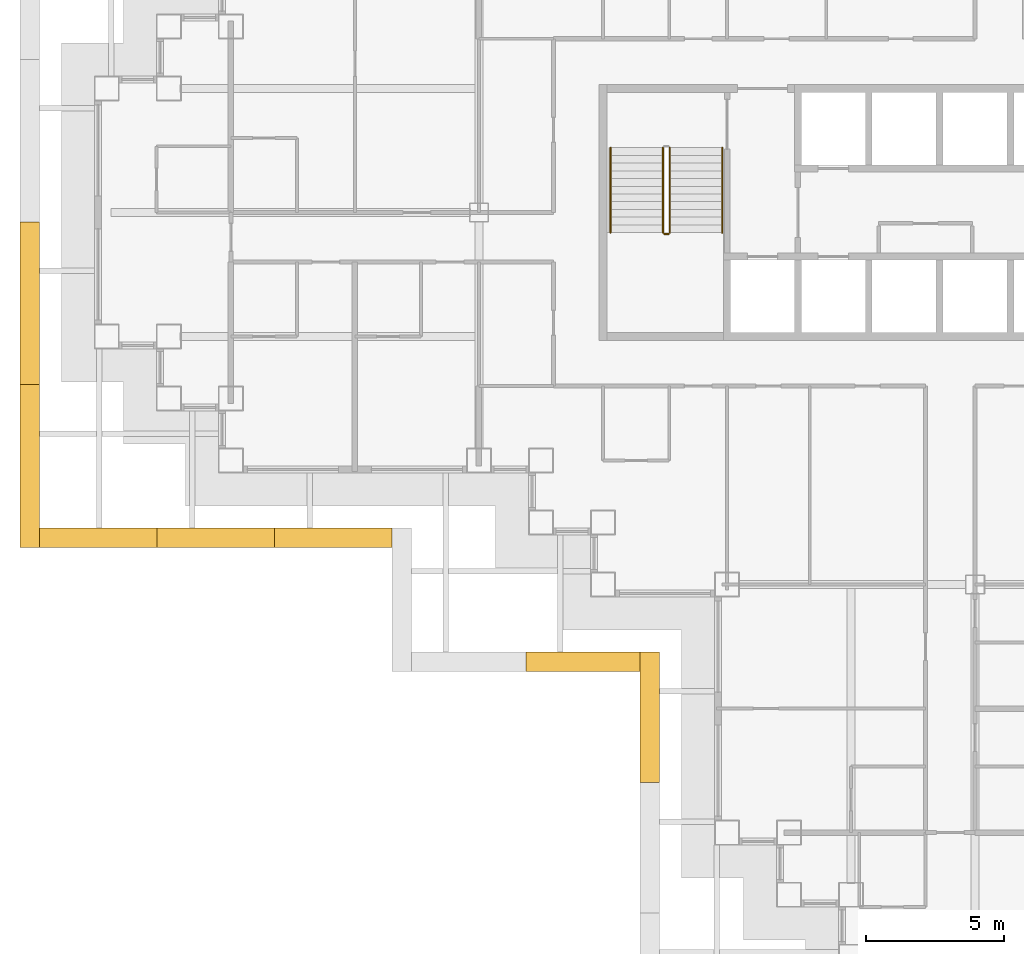
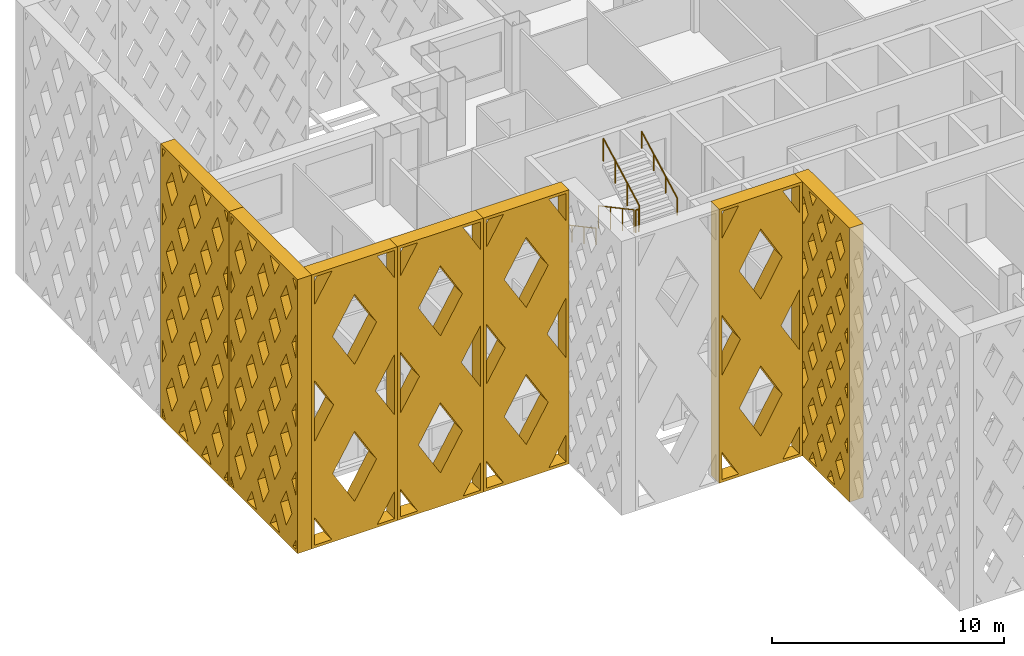
# One storey, part 14 of 21: 7 shading devices, 5 railings.
"""IFC4 building model written with IfcOpenShell, lengths in metres."""

from ifc_helpers import new_model, si_unit, direction, frame, origin, origin_2d, place, context, subcontext, project, spatial, polyline, circle, outline, extrude, material, type_object, element, save


model = new_model("IFC4")

# Units and contexts
model_context = context("Model", 3, precision=1e-05, world=origin(), true_north=direction((0.0, 1.0)))
body_context = subcontext(model_context, "Body", "Model", "MODEL_VIEW")
ifc_project = project(units=[si_unit("LENGTHUNIT", "METRE"), si_unit("AREAUNIT", "SQUARE_METRE"), si_unit("VOLUMEUNIT", "CUBIC_METRE"), si_unit("PLANEANGLEUNIT", "RADIAN"), si_unit("MASSUNIT", "GRAM", prefix="KILO")], contexts=[model_context])

# Site, building, storey
site_placement = place(None, origin())
site = spatial("IfcSite", under=ifc_project, at=site_placement, CompositionType="ELEMENT")
building_placement = place(site_placement, origin())
building = spatial("IfcBuilding", under=site, at=building_placement, Name="Caravel Reach Hotel and Residences", CompositionType="ELEMENT")
storey_placement = place(building_placement, frame((0.0, 0.0, 100.800048828125)))
storey = spatial("IfcBuildingStorey", under=building, at=storey_placement, Name="L24", CompositionType="ELEMENT", Elevation=100.800048828125)

# Shading devices
ifc_material_1 = material(Name="Black powder-coated aluminium", Category="aluminium")
shading_device_type_1 = type_object("IfcShadingDeviceType", Name="Diamond lattice screen panel 4150 x 14400", PredefinedType="USERDEFINED", material=ifc_material_1)
shading_device_1_placement = place(storey_placement, frame((15.199951171875, 11.050048828125, 0.0), z_axis=(0.0, -1.0, 0.0), x_axis=(1.0, 0.0, 0.0)))
element("IfcShadingDevice", 1, at=shading_device_1_placement, inside=storey, type_object=shading_device_type_1, Name="Lattice screen L24-L27 20.2", ObjectType="SCREEN", PredefinedType="USERDEFINED", context=body_context, shape_type="SweptSolid", body=[
    extrude(outline(polyline([(0.0, 0.0), (4.14990234375, 0.0), (4.14990234375, 14.39990234375), (0.0, 14.39990234375), (0.0, 0.0)]), holes=[polyline([(0.97802734375, 0.14990234375), (0.14990234375, 1.586669921875), (0.14990234375, 0.14990234375), (0.97802734375, 0.14990234375)]), polyline([(1.064697265625, 7.199951171875), (0.14990234375, 8.786865234375), (0.14990234375, 5.61328125), (1.064697265625, 7.199951171875)]), polyline([(0.14990234375, 12.813232421875), (0.97802734375, 14.25), (0.14990234375, 14.25), (0.14990234375, 12.813232421875)]), polyline([(2.074951171875, 5.447021484375), (1.010498046875, 3.60009765625), (2.074951171875, 1.7529296875), (3.1396484375, 3.60009765625), (2.074951171875, 5.447021484375)]), polyline([(2.074951171875, 12.64697265625), (1.010498046875, 10.800048828125), (2.074951171875, 8.953125), (3.1396484375, 10.800048828125), (2.074951171875, 12.64697265625)]), polyline([(4.0, 1.586669921875), (3.171875, 0.14990234375), (4.0, 0.14990234375), (4.0, 1.586669921875)]), polyline([(3.08544921875, 7.199951171875), (4.0, 5.61328125), (4.0, 8.786865234375), (3.08544921875, 7.199951171875)]), polyline([(3.171875, 14.25), (4.0, 12.813232421875), (4.0, 14.25), (3.171875, 14.25)])]), origin(), (0.0, 0.0, 1.0), 0.699951171875),
])
ifc_material_2 = material(Name="Black powder-coated aluminium", Category="aluminium")
shading_device_type_2 = type_object("IfcShadingDeviceType", Name="Diamond lattice screen panel 4267 x 14400", PredefinedType="USERDEFINED", material=ifc_material_2)
for number, where, z_axis, x_axis, name in (
    (2, (-2.449951171875, 15.550048828125, 0.0), (0.0, -1.0, 0.0), (1.0, 0.0, 0.0), "Lattice screen L24-L27 18.1"),
    (3, (1.816650390625, 15.550048828125, 0.0), (0.0, -1.0, 0.0), (1.0, 0.0, 0.0), "Lattice screen L24-L27 18.2"),
    (4, (6.083251953125, 15.550048828125, 0.0), (0.0, -1.0, 0.0), (1.0, 0.0, 0.0), "Lattice screen L24-L27 18.3"),
):
    element("IfcShadingDevice", number, at=place(storey_placement, frame(where, z_axis=z_axis, x_axis=x_axis)), inside=storey, type_object=shading_device_type_2, Name=name, ObjectType="SCREEN", PredefinedType="USERDEFINED", context=body_context, shape_type="SweptSolid", body=[
        extrude(outline(polyline([(0.0, 0.0), (4.2666015625, 0.0), (4.2666015625, 14.39990234375), (0.0, 14.39990234375), (0.0, 0.0)]), holes=[polyline([(1.003662109375, 0.14990234375), (0.14990234375, 1.590576171875), (0.14990234375, 0.14990234375), (1.003662109375, 0.14990234375)]), polyline([(1.092529296875, 7.199951171875), (0.14990234375, 8.790771484375), (0.14990234375, 5.609375), (1.092529296875, 7.199951171875)]), polyline([(0.14990234375, 12.809326171875), (1.003662109375, 14.25), (0.14990234375, 14.25), (0.14990234375, 12.809326171875)]), polyline([(2.13330078125, 5.44384765625), (1.040771484375, 3.60009765625), (2.13330078125, 1.756103515625), (3.225830078125, 3.60009765625), (2.13330078125, 5.44384765625)]), polyline([(2.13330078125, 12.643798828125), (1.040771484375, 10.800048828125), (2.13330078125, 8.956298828125), (3.225830078125, 10.800048828125), (2.13330078125, 12.643798828125)]), polyline([(4.11669921875, 1.590576171875), (3.262939453125, 0.14990234375), (4.11669921875, 0.14990234375), (4.11669921875, 1.590576171875)]), polyline([(3.174072265625, 7.199951171875), (4.11669921875, 5.609375), (4.11669921875, 8.790771484375), (3.174072265625, 7.199951171875)]), polyline([(3.262939453125, 14.25), (4.11669921875, 12.809326171875), (4.11669921875, 14.25), (3.262939453125, 14.25)])]), origin(), (0.0, 0.0, 1.0), 0.699951171875),
    ])
ifc_material_3 = material(Name="Black powder-coated aluminium", Category="aluminium")
shading_device_type_3 = type_object("IfcShadingDeviceType", Name="Diamond lattice screen panel 4733 x 14400", PredefinedType="USERDEFINED", material=ifc_material_3)
shading_device_2_placement = place(storey_placement, frame((20.050048828125, 11.050048828125, 0.0), z_axis=(-1.0, 0.0, 0.0), x_axis=(0.0, -1.0, 0.0)))
element("IfcShadingDevice", 5, at=shading_device_2_placement, inside=storey, type_object=shading_device_type_3, Name="Lattice screen L24-L27 1.1", ObjectType="SCREEN", PredefinedType="USERDEFINED", context=body_context, shape_type="SweptSolid", body=[
    extrude(outline(polyline([(0.0, 0.0), (4.7333984375, 0.0), (4.7333984375, 14.39990234375), (0.0, 14.39990234375), (0.0, 0.0)]), holes=[polyline([(0.39892578125, 2.8798828125), (0.14990234375, 3.334228515625), (0.14990234375, 2.42578125), (0.39892578125, 2.8798828125)]), polyline([(0.39892578125, 5.760009765625), (0.14990234375, 6.21435546875), (0.14990234375, 5.3056640625), (0.39892578125, 5.760009765625)]), polyline([(0.39892578125, 8.639892578125), (0.14990234375, 9.09423828125), (0.14990234375, 8.185791015625), (0.39892578125, 8.639892578125)]), polyline([(0.39892578125, 11.52001953125), (0.14990234375, 11.974365234375), (0.14990234375, 11.065673828125), (0.39892578125, 11.52001953125)]), polyline([(0.788818359375, 2.16796875), (0.39013671875, 1.43994140625), (0.788818359375, 0.7119140625), (1.187744140625, 1.43994140625), (0.788818359375, 2.16796875)]), polyline([(0.788818359375, 5.048095703125), (0.39013671875, 4.320068359375), (0.788818359375, 3.592041015625), (1.187744140625, 4.320068359375), (0.788818359375, 5.048095703125)]), polyline([(0.788818359375, 7.927978515625), (0.39013671875, 7.199951171875), (0.788818359375, 6.471923828125), (1.187744140625, 7.199951171875), (0.788818359375, 7.927978515625)]), polyline([(0.788818359375, 10.80810546875), (0.39013671875, 10.080078125), (0.788818359375, 9.35205078125), (1.187744140625, 10.080078125), (0.788818359375, 10.80810546875)]), polyline([(0.788818359375, 13.68798828125), (0.39013671875, 12.9599609375), (0.788818359375, 12.23193359375), (1.187744140625, 12.9599609375), (0.788818359375, 13.68798828125)]), polyline([(1.577880859375, 0.72802734375), (1.260986328125, 0.14990234375), (1.89453125, 0.14990234375), (1.577880859375, 0.72802734375)]), polyline([(1.577880859375, 3.608154296875), (1.178955078125, 2.8798828125), (1.577880859375, 2.15185546875), (1.9765625, 2.8798828125), (1.577880859375, 3.608154296875)]), polyline([(1.577880859375, 6.488037109375), (1.178955078125, 5.760009765625), (1.577880859375, 5.031982421875), (1.9765625, 5.760009765625), (1.577880859375, 6.488037109375)]), polyline([(1.577880859375, 9.3681640625), (1.178955078125, 8.639892578125), (1.577880859375, 7.911865234375), (1.9765625, 8.639892578125), (1.577880859375, 9.3681640625)]), polyline([(1.577880859375, 12.248046875), (1.178955078125, 11.52001953125), (1.577880859375, 10.7919921875), (1.9765625, 11.52001953125), (1.577880859375, 12.248046875)]), polyline([(1.577880859375, 13.671875), (1.89453125, 14.25), (1.260986328125, 14.25), (1.577880859375, 13.671875)]), polyline([(2.36669921875, 2.16796875), (1.9677734375, 1.43994140625), (2.36669921875, 0.7119140625), (2.765625, 1.43994140625), (2.36669921875, 2.16796875)]), polyline([(2.36669921875, 5.048095703125), (1.9677734375, 4.320068359375), (2.36669921875, 3.592041015625), (2.765625, 4.320068359375), (2.36669921875, 5.048095703125)]), polyline([(2.36669921875, 7.927978515625), (1.9677734375, 7.199951171875), (2.36669921875, 6.471923828125), (2.765625, 7.199951171875), (2.36669921875, 7.927978515625)]), polyline([(2.36669921875, 10.80810546875), (1.9677734375, 10.080078125), (2.36669921875, 9.35205078125), (2.765625, 10.080078125), (2.36669921875, 10.80810546875)]), polyline([(2.36669921875, 13.68798828125), (1.9677734375, 12.9599609375), (2.36669921875, 12.23193359375), (2.765625, 12.9599609375), (2.36669921875, 13.68798828125)]), polyline([(3.155517578125, 0.72802734375), (2.8388671875, 0.14990234375), (3.47216796875, 0.14990234375), (3.155517578125, 0.72802734375)]), polyline([(3.155517578125, 3.608154296875), (2.756591796875, 2.8798828125), (3.155517578125, 2.15185546875), (3.554443359375, 2.8798828125), (3.155517578125, 3.608154296875)]), polyline([(3.155517578125, 6.488037109375), (2.756591796875, 5.760009765625), (3.155517578125, 5.031982421875), (3.554443359375, 5.760009765625), (3.155517578125, 6.488037109375)]), polyline([(3.155517578125, 9.3681640625), (2.756591796875, 8.639892578125), (3.155517578125, 7.911865234375), (3.554443359375, 8.639892578125), (3.155517578125, 9.3681640625)]), polyline([(3.155517578125, 12.248046875), (2.756591796875, 11.52001953125), (3.155517578125, 10.7919921875), (3.554443359375, 11.52001953125), (3.155517578125, 12.248046875)]), polyline([(3.155517578125, 13.671875), (3.47216796875, 14.25), (2.8388671875, 14.25), (3.155517578125, 13.671875)]), polyline([(3.9443359375, 2.16796875), (3.545654296875, 1.43994140625), (3.9443359375, 0.7119140625), (4.34326171875, 1.43994140625), (3.9443359375, 2.16796875)]), polyline([(3.9443359375, 5.048095703125), (3.545654296875, 4.320068359375), (3.9443359375, 3.592041015625), (4.34326171875, 4.320068359375), (3.9443359375, 5.048095703125)]), polyline([(3.9443359375, 7.927978515625), (3.545654296875, 7.199951171875), (3.9443359375, 6.471923828125), (4.34326171875, 7.199951171875), (3.9443359375, 7.927978515625)]), polyline([(3.9443359375, 10.80810546875), (3.545654296875, 10.080078125), (3.9443359375, 9.35205078125), (4.34326171875, 10.080078125), (3.9443359375, 10.80810546875)]), polyline([(3.9443359375, 13.68798828125), (3.545654296875, 12.9599609375), (3.9443359375, 12.23193359375), (4.34326171875, 12.9599609375), (3.9443359375, 13.68798828125)]), polyline([(4.33447265625, 2.8798828125), (4.583251953125, 2.42578125), (4.583251953125, 3.334228515625), (4.33447265625, 2.8798828125)]), polyline([(4.33447265625, 5.760009765625), (4.583251953125, 5.3056640625), (4.583251953125, 6.21435546875), (4.33447265625, 5.760009765625)]), polyline([(4.33447265625, 8.639892578125), (4.583251953125, 8.185791015625), (4.583251953125, 9.09423828125), (4.33447265625, 8.639892578125)]), polyline([(4.33447265625, 11.52001953125), (4.583251953125, 11.065673828125), (4.583251953125, 11.974365234375), (4.33447265625, 11.52001953125)])]), origin(), (0.0, 0.0, 1.0), 0.699951171875),
])
ifc_material_4 = material(Name="Black powder-coated aluminium", Category="aluminium")
shading_device_type_4 = type_object("IfcShadingDeviceType", Name="Diamond lattice screen panel 5900 x 14400", PredefinedType="USERDEFINED", material=ifc_material_4)
shading_device_3_placement = place(storey_placement, frame((-2.449951171875, 26.64990234375, 0.0), z_axis=(-1.0, 0.0, 0.0), x_axis=(0.0, -1.0, 0.0)))
element("IfcShadingDevice", 6, at=shading_device_3_placement, inside=storey, type_object=shading_device_type_4, Name="Lattice screen L24-L27 17.3", ObjectType="SCREEN", PredefinedType="USERDEFINED", context=body_context, shape_type="SweptSolid", body=[
    extrude(outline(polyline([(0.0, 0.0), (5.89990234375, 0.0), (5.89990234375, 14.39990234375), (0.0, 14.39990234375), (0.0, 0.0)]), holes=[polyline([(0.40966796875, 0.14990234375), (0.14990234375, 0.62548828125), (0.14990234375, 0.14990234375), (0.40966796875, 0.14990234375)]), polyline([(0.49169921875, 3.60009765625), (0.14990234375, 4.2255859375), (0.14990234375, 2.974609375), (0.49169921875, 3.60009765625)]), polyline([(0.49169921875, 7.199951171875), (0.14990234375, 7.825439453125), (0.14990234375, 6.574462890625), (0.49169921875, 7.199951171875)]), polyline([(0.49169921875, 10.800048828125), (0.14990234375, 11.425537109375), (0.14990234375, 10.174560546875), (0.49169921875, 10.800048828125)]), polyline([(0.14990234375, 13.7744140625), (0.40966796875, 14.25), (0.14990234375, 14.25), (0.14990234375, 13.7744140625)]), polyline([(0.9833984375, 2.699951171875), (0.49169921875, 1.800048828125), (0.9833984375, 0.89990234375), (1.47509765625, 1.800048828125), (0.9833984375, 2.699951171875)]), polyline([(0.9833984375, 6.300048828125), (0.49169921875, 5.39990234375), (0.9833984375, 4.5), (1.47509765625, 5.39990234375), (0.9833984375, 6.300048828125)]), polyline([(0.9833984375, 9.900146484375), (0.49169921875, 9.0), (0.9833984375, 8.099853515625), (1.47509765625, 9.0), (0.9833984375, 9.900146484375)]), polyline([(0.9833984375, 13.5), (0.49169921875, 12.60009765625), (0.9833984375, 11.699951171875), (1.47509765625, 12.60009765625), (0.9833984375, 13.5)]), polyline([(1.966552734375, 0.900146484375), (1.556884765625, 0.14990234375), (2.37646484375, 0.14990234375), (1.966552734375, 0.900146484375)]), polyline([(1.966552734375, 4.5), (1.474853515625, 3.60009765625), (1.966552734375, 2.699951171875), (2.458251953125, 3.60009765625), (1.966552734375, 4.5)]), polyline([(1.966552734375, 8.10009765625), (1.474853515625, 7.199951171875), (1.966552734375, 6.300048828125), (2.458251953125, 7.199951171875), (1.966552734375, 8.10009765625)]), polyline([(1.966552734375, 11.699951171875), (1.474853515625, 10.800048828125), (1.966552734375, 9.89990234375), (2.458251953125, 10.800048828125), (1.966552734375, 11.699951171875)]), polyline([(1.966552734375, 13.5), (2.37646484375, 14.25), (1.556884765625, 14.25), (1.966552734375, 13.5)]), polyline([(2.949951171875, 2.699951171875), (2.458251953125, 1.800048828125), (2.949951171875, 0.89990234375), (3.441650390625, 1.800048828125), (2.949951171875, 2.699951171875)]), polyline([(2.949951171875, 6.300048828125), (2.458251953125, 5.39990234375), (2.949951171875, 4.5), (3.441650390625, 5.39990234375), (2.949951171875, 6.300048828125)]), polyline([(2.949951171875, 9.900146484375), (2.458251953125, 9.0), (2.949951171875, 8.099853515625), (3.441650390625, 9.0), (2.949951171875, 9.900146484375)]), polyline([(2.949951171875, 13.5), (2.458251953125, 12.60009765625), (2.949951171875, 11.699951171875), (3.441650390625, 12.60009765625), (2.949951171875, 13.5)]), polyline([(3.933349609375, 0.900146484375), (3.523681640625, 0.14990234375), (4.343017578125, 0.14990234375), (3.933349609375, 0.900146484375)]), polyline([(3.933349609375, 4.5), (3.441650390625, 3.60009765625), (3.933349609375, 2.699951171875), (4.425048828125, 3.60009765625), (3.933349609375, 4.5)]), polyline([(3.933349609375, 8.10009765625), (3.441650390625, 7.199951171875), (3.933349609375, 6.300048828125), (4.425048828125, 7.199951171875), (3.933349609375, 8.10009765625)]), polyline([(3.933349609375, 11.699951171875), (3.441650390625, 10.800048828125), (3.933349609375, 9.89990234375), (4.425048828125, 10.800048828125), (3.933349609375, 11.699951171875)]), polyline([(3.933349609375, 13.5), (4.343017578125, 14.25), (3.523681640625, 14.25), (3.933349609375, 13.5)]), polyline([(4.916748046875, 2.699951171875), (4.425048828125, 1.800048828125), (4.916748046875, 0.89990234375), (5.408447265625, 1.800048828125), (4.916748046875, 2.699951171875)]), polyline([(4.916748046875, 6.300048828125), (4.425048828125, 5.39990234375), (4.916748046875, 4.5), (5.408447265625, 5.39990234375), (4.916748046875, 6.300048828125)]), polyline([(4.916748046875, 9.900146484375), (4.425048828125, 9.0), (4.916748046875, 8.099853515625), (5.408447265625, 9.0), (4.916748046875, 9.900146484375)]), polyline([(4.916748046875, 13.5), (4.425048828125, 12.60009765625), (4.916748046875, 11.699951171875), (5.408447265625, 12.60009765625), (4.916748046875, 13.5)]), polyline([(5.75, 0.62548828125), (5.490234375, 0.14990234375), (5.75, 0.14990234375), (5.75, 0.62548828125)]), polyline([(5.408203125, 3.60009765625), (5.75, 2.974609375), (5.75, 4.2255859375), (5.408203125, 3.60009765625)]), polyline([(5.408203125, 7.199951171875), (5.75, 6.574462890625), (5.75, 7.825439453125), (5.408203125, 7.199951171875)]), polyline([(5.408203125, 10.800048828125), (5.75, 10.174560546875), (5.75, 11.425537109375), (5.408203125, 10.800048828125)]), polyline([(5.490234375, 14.25), (5.75, 13.7744140625), (5.75, 14.25), (5.490234375, 14.25)])]), origin(), (0.0, 0.0, 1.0), 0.699951171875),
])
shading_device_4_placement = place(storey_placement, frame((-2.449951171875, 20.75, 0.0), z_axis=(-1.0, 0.0, 0.0), x_axis=(0.0, -1.0, 0.0)))
element("IfcShadingDevice", 7, at=shading_device_4_placement, inside=storey, type_object=shading_device_type_4, Name="Lattice screen L24-L27 17.4", ObjectType="SCREEN", PredefinedType="USERDEFINED", context=body_context, shape_type="SweptSolid", body=[
    extrude(outline(polyline([(0.0, 0.0), (5.89990234375, 0.0), (5.89990234375, 14.39990234375), (0.0, 14.39990234375), (0.0, 0.0)]), holes=[polyline([(0.40966796875, 0.14990234375), (0.14990234375, 0.62548828125), (0.14990234375, 0.14990234375), (0.40966796875, 0.14990234375)]), polyline([(0.49169921875, 3.60009765625), (0.14990234375, 4.2255859375), (0.14990234375, 2.974609375), (0.49169921875, 3.60009765625)]), polyline([(0.49169921875, 7.199951171875), (0.14990234375, 7.825439453125), (0.14990234375, 6.574462890625), (0.49169921875, 7.199951171875)]), polyline([(0.49169921875, 10.800048828125), (0.14990234375, 11.425537109375), (0.14990234375, 10.174560546875), (0.49169921875, 10.800048828125)]), polyline([(0.14990234375, 13.7744140625), (0.40966796875, 14.25), (0.14990234375, 14.25), (0.14990234375, 13.7744140625)]), polyline([(0.9833984375, 2.699951171875), (0.49169921875, 1.800048828125), (0.9833984375, 0.89990234375), (1.47509765625, 1.800048828125), (0.9833984375, 2.699951171875)]), polyline([(0.9833984375, 6.300048828125), (0.49169921875, 5.39990234375), (0.9833984375, 4.5), (1.47509765625, 5.39990234375), (0.9833984375, 6.300048828125)]), polyline([(0.9833984375, 9.900146484375), (0.49169921875, 9.0), (0.9833984375, 8.099853515625), (1.47509765625, 9.0), (0.9833984375, 9.900146484375)]), polyline([(0.9833984375, 13.5), (0.49169921875, 12.60009765625), (0.9833984375, 11.699951171875), (1.47509765625, 12.60009765625), (0.9833984375, 13.5)]), polyline([(1.966552734375, 0.900146484375), (1.556884765625, 0.14990234375), (2.37646484375, 0.14990234375), (1.966552734375, 0.900146484375)]), polyline([(1.966552734375, 4.5), (1.474853515625, 3.60009765625), (1.966552734375, 2.699951171875), (2.458251953125, 3.60009765625), (1.966552734375, 4.5)]), polyline([(1.966552734375, 8.10009765625), (1.474853515625, 7.199951171875), (1.966552734375, 6.300048828125), (2.458251953125, 7.199951171875), (1.966552734375, 8.10009765625)]), polyline([(1.966552734375, 11.699951171875), (1.474853515625, 10.800048828125), (1.966552734375, 9.89990234375), (2.458251953125, 10.800048828125), (1.966552734375, 11.699951171875)]), polyline([(1.966552734375, 13.5), (2.37646484375, 14.25), (1.556884765625, 14.25), (1.966552734375, 13.5)]), polyline([(2.949951171875, 2.699951171875), (2.458251953125, 1.800048828125), (2.949951171875, 0.89990234375), (3.441650390625, 1.800048828125), (2.949951171875, 2.699951171875)]), polyline([(2.949951171875, 6.300048828125), (2.458251953125, 5.39990234375), (2.949951171875, 4.5), (3.441650390625, 5.39990234375), (2.949951171875, 6.300048828125)]), polyline([(2.949951171875, 9.900146484375), (2.458251953125, 9.0), (2.949951171875, 8.099853515625), (3.441650390625, 9.0), (2.949951171875, 9.900146484375)]), polyline([(2.949951171875, 13.5), (2.458251953125, 12.60009765625), (2.949951171875, 11.699951171875), (3.441650390625, 12.60009765625), (2.949951171875, 13.5)]), polyline([(3.933349609375, 0.900146484375), (3.523681640625, 0.14990234375), (4.343017578125, 0.14990234375), (3.933349609375, 0.900146484375)]), polyline([(3.933349609375, 4.5), (3.441650390625, 3.60009765625), (3.933349609375, 2.699951171875), (4.425048828125, 3.60009765625), (3.933349609375, 4.5)]), polyline([(3.933349609375, 8.10009765625), (3.441650390625, 7.199951171875), (3.933349609375, 6.300048828125), (4.425048828125, 7.199951171875), (3.933349609375, 8.10009765625)]), polyline([(3.933349609375, 11.699951171875), (3.441650390625, 10.800048828125), (3.933349609375, 9.89990234375), (4.425048828125, 10.800048828125), (3.933349609375, 11.699951171875)]), polyline([(3.933349609375, 13.5), (4.343017578125, 14.25), (3.523681640625, 14.25), (3.933349609375, 13.5)]), polyline([(4.916748046875, 2.699951171875), (4.425048828125, 1.800048828125), (4.916748046875, 0.89990234375), (5.408447265625, 1.800048828125), (4.916748046875, 2.699951171875)]), polyline([(4.916748046875, 6.300048828125), (4.425048828125, 5.39990234375), (4.916748046875, 4.5), (5.408447265625, 5.39990234375), (4.916748046875, 6.300048828125)]), polyline([(4.916748046875, 9.900146484375), (4.425048828125, 9.0), (4.916748046875, 8.099853515625), (5.408447265625, 9.0), (4.916748046875, 9.900146484375)]), polyline([(4.916748046875, 13.5), (4.425048828125, 12.60009765625), (4.916748046875, 11.699951171875), (5.408447265625, 12.60009765625), (4.916748046875, 13.5)]), polyline([(5.75, 0.62548828125), (5.490234375, 0.14990234375), (5.75, 0.14990234375), (5.75, 0.62548828125)]), polyline([(5.408203125, 3.60009765625), (5.75, 2.974609375), (5.75, 4.2255859375), (5.408203125, 3.60009765625)]), polyline([(5.408203125, 7.199951171875), (5.75, 6.574462890625), (5.75, 7.825439453125), (5.408203125, 7.199951171875)]), polyline([(5.408203125, 10.800048828125), (5.75, 10.174560546875), (5.75, 11.425537109375), (5.408203125, 10.800048828125)]), polyline([(5.490234375, 14.25), (5.75, 13.7744140625), (5.75, 14.25), (5.490234375, 14.25)])]), origin(), (0.0, 0.0, 1.0), 0.699951171875),
])

# Railings
ifc_material_5 = material(Name="Steel balustrade with glass infill", Category="steel")
railing_type_1 = type_object("IfcRailingType", Name="Guard 1200", PredefinedType="GUARDRAIL", material=ifc_material_5)
railing_1_placement = place(storey_placement, frame((20.175048828125, 29.35009765625, 0.14990234375)))
element("IfcRailing", 8, at=railing_1_placement, inside=storey, type_object=railing_type_1, Name="L24 ST-A stair guard 1", PredefinedType="GUARDRAIL", context=body_context, shape_type="SweptSolid", body=[
    extrude(circle(Radius=0.02392578125, at=origin_2d()), frame((0.0, 0.0, 1.17578125), z_axis=(0.0, -0.881467505477, 0.472244678941), x_axis=(1.0, 0.0, 0.0)), (0.0, 0.0, 1.0), 3.494140625),
    extrude(circle(Radius=0.02099609375, at=origin_2d()), origin(), (0.0, 0.0, 1.0), 1.15185546875),
    extrude(circle(Radius=0.02099609375, at=origin_2d()), frame((0.0, -1.026611328125, 0.550048828125)), (0.0, 0.0, 1.0), 1.15185546875),
    extrude(circle(Radius=0.02099609375, at=origin_2d()), frame((0.0, -2.053466796875, 1.10009765625)), (0.0, 0.0, 1.0), 1.15185546875),
    extrude(circle(Radius=0.02099609375, at=origin_2d()), frame((0.0, -3.080078125, 1.650146484375)), (0.0, 0.0, 1.0), 1.15185546875),
])
railing_2_placement = place(storey_placement, frame((20.22509765625, 26.219970703125, 1.800048828125)))
element("IfcRailing", 9, at=railing_2_placement, inside=storey, type_object=railing_type_1, Name="L24 ST-A stair guard 2", PredefinedType="GUARDRAIL", context=body_context, shape_type="SweptSolid", body=[
    extrude(circle(Radius=0.02392578125, at=origin_2d()), frame((0.0, 0.0, 1.17578125), z_axis=(1.0, 0.0, 0.0), x_axis=(0.0, 1.0, 0.0)), (0.0, 0.0, 1.0), 0.14990234375),
    extrude(circle(Radius=0.02099609375, at=origin_2d()), origin(), (0.0, 0.0, 1.0), 1.15185546875),
    extrude(circle(Radius=0.02099609375, at=origin_2d()), frame((0.14990234375, 0.0, 0.0)), (0.0, 0.0, 1.0), 1.15185546875),
])
railing_3_placement = place(storey_placement, frame((20.425048828125, 26.27001953125, 1.949951171875)))
element("IfcRailing", 10, at=railing_3_placement, inside=storey, type_object=railing_type_1, Name="L24 ST-A stair guard 3", PredefinedType="GUARDRAIL", context=body_context, shape_type="SweptSolid", body=[
    extrude(circle(Radius=0.02392578125, at=origin_2d()), frame((0.0, 0.0, 1.17578125), z_axis=(0.0, 0.881496589024, 0.472190389079), x_axis=(-1.0, 0.0, 0.0)), (0.0, 0.0, 1.0), 3.494140625),
    extrude(circle(Radius=0.02099609375, at=origin_2d()), origin(), (0.0, 0.0, 1.0), 1.15185546875),
    extrude(circle(Radius=0.02099609375, at=origin_2d()), frame((0.0, 1.026611328125, 0.550048828125)), (0.0, 0.0, 1.0), 1.15185546875),
    extrude(circle(Radius=0.02099609375, at=origin_2d()), frame((0.0, 2.053466796875, 1.099853515625)), (0.0, 0.0, 1.0), 1.15185546875),
    extrude(circle(Radius=0.02099609375, at=origin_2d()), frame((0.0, 3.080078125, 1.64990234375)), (0.0, 0.0, 1.0), 1.15185546875),
])
ifc_material_6 = material(Name="Stainless steel handrail", Category="steel")
railing_type_2 = type_object("IfcRailingType", Name="Handrail 900", PredefinedType="HANDRAIL", material=ifc_material_6)
railing_4_placement = place(storey_placement, frame((18.27490234375, 29.35009765625, 0.14990234375)))
element("IfcRailing", 11, at=railing_4_placement, inside=storey, type_object=railing_type_2, Name="L24 ST-A stair handrail 1", PredefinedType="HANDRAIL", context=body_context, shape_type="SweptSolid", body=[
    extrude(circle(Radius=0.02392578125, at=origin_2d()), frame((0.0, 0.0, 0.8759765625), z_axis=(0.0, -0.881467505477, 0.472244678941), x_axis=(1.0, 0.0, 0.0)), (0.0, 0.0, 1.0), 3.494140625),
    extrude(circle(Radius=0.02099609375, at=origin_2d()), origin(), (0.0, 0.0, 1.0), 0.851806640625),
    extrude(circle(Radius=0.02099609375, at=origin_2d()), frame((0.0, -1.026611328125, 0.550048828125)), (0.0, 0.0, 1.0), 0.851806640625),
    extrude(circle(Radius=0.02099609375, at=origin_2d()), frame((0.0, -2.053466796875, 1.10009765625)), (0.0, 0.0, 1.0), 0.851806640625),
    extrude(circle(Radius=0.02099609375, at=origin_2d()), frame((0.0, -3.080078125, 1.650146484375)), (0.0, 0.0, 1.0), 0.851806640625),
])
railing_5_placement = place(storey_placement, frame((22.324951171875, 26.27001953125, 1.949951171875)))
element("IfcRailing", 12, at=railing_5_placement, inside=storey, type_object=railing_type_2, Name="L24 ST-A stair handrail 2", PredefinedType="HANDRAIL", context=body_context, shape_type="SweptSolid", body=[
    extrude(circle(Radius=0.02392578125, at=origin_2d()), frame((0.0, 0.0, 0.8759765625), z_axis=(0.0, 0.881496589024, 0.472190389079), x_axis=(-1.0, 0.0, 0.0)), (0.0, 0.0, 1.0), 3.494140625),
    extrude(circle(Radius=0.02099609375, at=origin_2d()), origin(), (0.0, 0.0, 1.0), 0.851806640625),
    extrude(circle(Radius=0.02099609375, at=origin_2d()), frame((0.0, 1.026611328125, 0.550048828125)), (0.0, 0.0, 1.0), 0.851806640625),
    extrude(circle(Radius=0.02099609375, at=origin_2d()), frame((0.0, 2.053466796875, 1.099853515625)), (0.0, 0.0, 1.0), 0.851806640625),
    extrude(circle(Radius=0.02099609375, at=origin_2d()), frame((0.0, 3.080078125, 1.64990234375)), (0.0, 0.0, 1.0), 0.851806640625),
])

save(model, "model.ifc")
